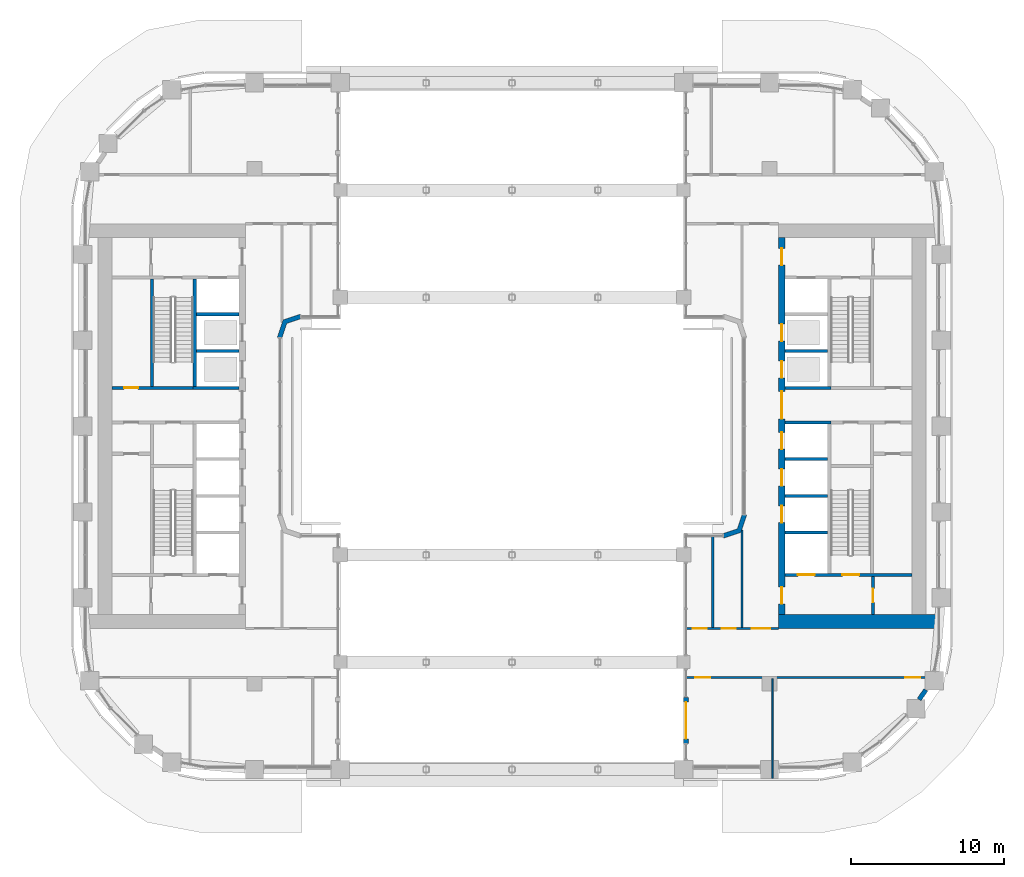
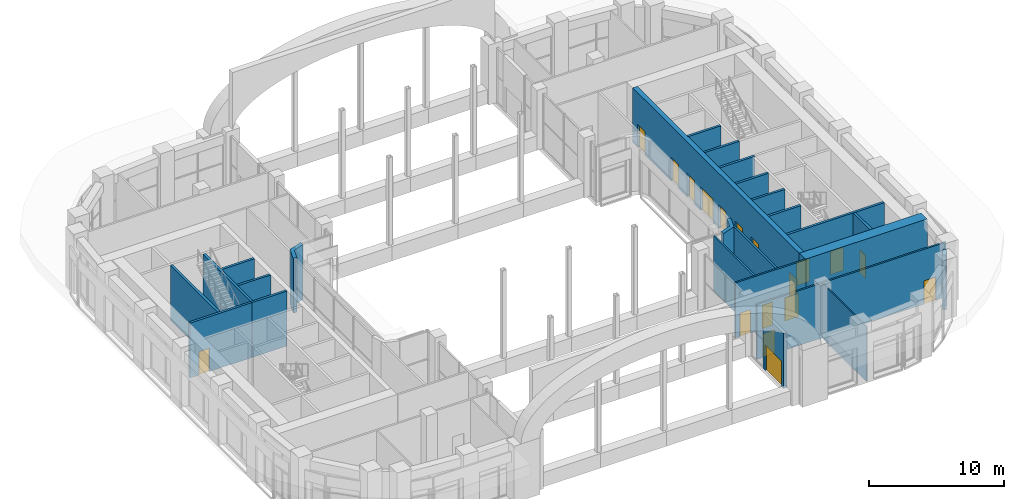
# One storey, part 16 of 28: 25 walls, 18 doors, 18 openings.
"""IFC4 building model written with IfcOpenShell, lengths in metres."""

from ifc_helpers import new_model, si_unit, direction, frame, frame_2d, origin, place, context, subcontext, project, spatial, polyline, rectangle, outline, extrude, material, layer, layer_set, type_object, element, fill, save


model = new_model("IFC4")

# Units and contexts
model_context = context("Model", 3, precision=1e-05, world=origin(), true_north=direction((0.0, 1.0)))
body_context = subcontext(model_context, "Body", "Model", "MODEL_VIEW")
ifc_project = project(units=[si_unit("LENGTHUNIT", "METRE"), si_unit("AREAUNIT", "SQUARE_METRE"), si_unit("VOLUMEUNIT", "CUBIC_METRE"), si_unit("PLANEANGLEUNIT", "RADIAN"), si_unit("MASSUNIT", "GRAM", prefix="KILO")], contexts=[model_context])

# Site, building, storey
site_placement = place(None, origin())
site = spatial("IfcSite", under=ifc_project, at=site_placement, CompositionType="ELEMENT")
building_placement = place(site_placement, origin())
building = spatial("IfcBuilding", under=site, at=building_placement, Name="Kiln Ring Residences", CompositionType="ELEMENT")
storey_placement = place(building_placement, frame((0.0, 0.0, 125.300048828125)))
storey = spatial("IfcBuildingStorey", under=building, at=storey_placement, Name="L32", CompositionType="ELEMENT", Elevation=125.300048828125)

# Wall, opening, door
ifc_material_1 = material(Name="Gypsum board on steel studs", Category="steel")
ifc_layer_1 = layer(ifc_material_1, 0.199951171875)
ifc_layer_set_1 = layer_set([ifc_layer_1], Name="CORE-PARTITION-200")
wall_type_1 = type_object("IfcWallType", Name="CORE-PARTITION-200", PredefinedType="PARTITIONING", material=ifc_layer_set_1)
wall_1_placement = place(storey_placement, frame((23.550048828125, -12.300048828125, 0.0), z_axis=(0.0, 0.0, 1.0), x_axis=(0.0, 1.0, 0.0)))
wall_1 = element("IfcWall", 1, at=wall_1_placement, inside=storey, type_object=wall_type_1, Name="Core partition east L32 4", PredefinedType="PARTITIONING", context=body_context, shape_type="SweptSolid", body=[
    extrude(rectangle(XDim=2.5, YDim=0.199951171875, at=frame_2d((1.25, 0.0))), origin(), (0.0, 0.0, 1.0), 4.949951171875),
])
opening_1_placement = place(wall_1_placement, frame((0.800048828125, 0.0, 0.0)))
opening_1 = element("IfcOpeningElement", 2, at=opening_1_placement, cuts=wall_1, Name="Opening L32-CE11", PredefinedType="OPENING", context=body_context, shape_type="SweptSolid", body=[
    extrude(rectangle(XDim=0.89990234375, YDim=2.10009765625, at=frame_2d((0.449951171875, 1.050048828125))), frame((0.0, 0.10986328125, 0.0), z_axis=(0.0, -1.0, 0.0), x_axis=(1.0, 0.0, 0.0)), (0.0, 0.0, 1.0), 0.219970703125),
])
ifc_material_2 = material(Name="Steel door leaf", Category="steel")
door_type_1 = type_object("IfcDoorType", Name="CORE-DOOR-ROOM", OperationType="SINGLE_SWING_LEFT", PredefinedType="DOOR", material=ifc_material_2)
door_1_placement = place(opening_1_placement, origin())
door_1 = element("IfcDoor", 3, at=door_1_placement, inside=storey, type_object=door_type_1, Name="Store L32-CE11", OperationType="SINGLE_SWING_RIGHT", OverallHeight=2.10009765625, OverallWidth=0.89990234375, PredefinedType="DOOR", context=body_context, shape_type="SweptSolid", body=[
    extrude(rectangle(XDim=0.89990234375, YDim=2.10009765625, at=frame_2d((0.449951171875, 1.050048828125))), frame((0.0, 0.02490234375, 0.0), z_axis=(0.0, -1.0, 0.0), x_axis=(1.0, 0.0, 0.0)), (0.0, 0.0, 1.0), 0.050048828125),
])
fill(opening_1, door_1)

# Walls
ifc_material_3 = material(Name="Gypsum shaft wall system")
ifc_layer_2 = layer(ifc_material_3, 0.199951171875)
ifc_layer_set_2 = layer_set([ifc_layer_2], Name="CORE-SHAFT-WALL-200")
wall_type_2 = type_object("IfcWallType", Name="CORE-SHAFT-WALL-200", PredefinedType="PARTITIONING", material=ifc_layer_set_2)
wall_2_placement = place(storey_placement, frame((-17.800048828125, 2.5, 0.0), z_axis=(0.0, 0.0, 1.0), x_axis=(-1.0, 0.0, 0.0)))
element("IfcWall", 4, at=wall_2_placement, inside=storey, type_object=wall_type_2, Name="Core partition west L32 10", PredefinedType="PARTITIONING", context=body_context, shape_type="SweptSolid", body=[
    extrude(rectangle(XDim=3.0, YDim=0.199951171875, at=frame_2d((1.5, 0.0))), origin(), (0.0, 0.0, 1.0), 4.949951171875),
])
for number, where, z_axis, x_axis, name in (
    (5, (-17.800048828125, 4.89990234375, 0.0), (0.0, 0.0, 1.0), (-1.0, 0.0, 0.0), "Core partition west L32 11"),
    (6, (-17.800048828125, 7.300048828125, 0.0), (0.0, 0.0, 1.0), (-1.0, 0.0, 0.0), "Core partition west L32 12"),
    (7, (17.800048828125, -6.949951171875, 0.0), (0.0, 0.0, 1.0), (1.0, 0.0, 0.0), "Core partition east L32 6"),
    (8, (17.800048828125, -4.550048828125, 0.0), (0.0, 0.0, 1.0), (1.0, 0.0, 0.0), "Core partition east L32 7"),
    (9, (17.800048828125, -2.14990234375, 0.0), (0.0, 0.0, 1.0), (1.0, 0.0, 0.0), "Core partition east L32 8"),
):
    element("IfcWall", number, at=place(storey_placement, frame(where, z_axis=z_axis, x_axis=x_axis)), inside=storey, type_object=wall_type_2, Name=name, PredefinedType="PARTITIONING", context=body_context, shape_type="SweptSolid", body=[
        extrude(rectangle(XDim=2.800048828125, YDim=0.199951171875, at=frame_2d((1.39990234375, 0.0))), origin(), (0.0, 0.0, 1.0), 4.949951171875),
    ])
for number, where, z_axis, x_axis, name in (
    (10, (17.800048828125, 0.25, 0.0), (0.0, 0.0, 1.0), (1.0, 0.0, 0.0), "Core partition east L32 9"),
    (11, (17.800048828125, 2.5, 0.0), (0.0, 0.0, 1.0), (1.0, 0.0, 0.0), "Core partition east L32 10"),
):
    element("IfcWall", number, at=place(storey_placement, frame(where, z_axis=z_axis, x_axis=x_axis)), inside=storey, type_object=wall_type_2, Name=name, PredefinedType="PARTITIONING", context=body_context, shape_type="SweptSolid", body=[
        extrude(rectangle(XDim=3.0, YDim=0.199951171875, at=frame_2d((1.5, 0.0))), origin(), (0.0, 0.0, 1.0), 4.949951171875),
    ])
wall_3_placement = place(storey_placement, frame((17.800048828125, 4.89990234375, 0.0), z_axis=(0.0, 0.0, 1.0), x_axis=(1.0, 0.0, 0.0)))
element("IfcWall", 12, at=wall_3_placement, inside=storey, type_object=wall_type_2, Name="Core partition east L32 11", PredefinedType="PARTITIONING", context=body_context, shape_type="SweptSolid", body=[
    extrude(rectangle(XDim=2.800048828125, YDim=0.199951171875, at=frame_2d((1.39990234375, 0.0))), origin(), (0.0, 0.0, 1.0), 4.949951171875),
])
ifc_material_4 = material(Name="Concrete C40/50", Category="concrete")
ifc_layer_3 = layer(ifc_material_4, 0.199951171875)
ifc_layer_set_3 = layer_set([ifc_layer_3], Name="CORE-WALL-RC200")
wall_type_3 = type_object("IfcWallType", Name="CORE-WALL-RC200", PredefinedType="SHEAR", material=ifc_layer_set_3)
wall_4_placement = place(storey_placement, frame((-20.699951171875, 2.60009765625, 0.0), z_axis=(0.0, 0.0, 1.0), x_axis=(0.0, 1.0, 0.0)))
element("IfcWall", 13, at=wall_4_placement, inside=storey, type_object=wall_type_3, Name="Core wall west L32 1", PredefinedType="SHEAR", context=body_context, shape_type="SweptSolid", body=[
    extrude(rectangle(XDim=7.0, YDim=0.199951171875, at=frame_2d((3.5, 0.0))), origin(), (0.0, 0.0, 1.0), 4.949951171875),
])

# Wall, opening, door
wall_5_placement = place(storey_placement, frame((-20.800048828125, 2.5, 0.0), z_axis=(0.0, 0.0, 1.0), x_axis=(-1.0, 0.0, 0.0)))
wall_5 = element("IfcWall", 14, at=wall_5_placement, inside=storey, type_object=wall_type_3, Name="Core wall west L32 3", PredefinedType="SHEAR", context=body_context, shape_type="SweptSolid", body=[
    extrude(rectangle(XDim=5.300048828125, YDim=0.199951171875, at=frame_2d((2.64990234375, 0.0))), origin(), (0.0, 0.0, 1.0), 4.949951171875),
])
opening_2_placement = place(wall_5_placement, frame((3.60009765625, 0.0, 0.0)))
opening_2 = element("IfcOpeningElement", 15, at=opening_2_placement, cuts=wall_5, Name="Opening L32-CW18", PredefinedType="OPENING", context=body_context, shape_type="SweptSolid", body=[
    extrude(rectangle(XDim=0.89990234375, YDim=2.10009765625, at=frame_2d((0.449951171875, 1.050048828125))), frame((0.0, 0.10986328125, 0.0), z_axis=(0.0, -1.0, 0.0), x_axis=(1.0, 0.0, 0.0)), (0.0, 0.0, 1.0), 0.219970703125),
])
door_2_placement = place(opening_2_placement, origin())
door_2 = element("IfcDoor", 16, at=door_2_placement, inside=storey, type_object=door_type_1, Name="Electrical plant room L32-CW18", OperationType="SINGLE_SWING_LEFT", OverallHeight=2.10009765625, OverallWidth=0.89990234375, PredefinedType="DOOR", context=body_context, shape_type="SweptSolid", body=[
    extrude(rectangle(XDim=0.89990234375, YDim=2.10009765625, at=frame_2d((0.449951171875, 1.050048828125))), frame((0.0, 0.02490234375, 0.0), z_axis=(0.0, -1.0, 0.0), x_axis=(1.0, 0.0, 0.0)), (0.0, 0.0, 1.0), 0.050048828125),
])
fill(opening_2, door_2)

# Wall
wall_6_placement = place(storey_placement, frame((-23.5, 2.60009765625, 0.0), z_axis=(0.0, 0.0, 1.0), x_axis=(0.0, 1.0, 0.0)))
element("IfcWall", 17, at=wall_6_placement, inside=storey, type_object=wall_type_3, Name="Core wall west L32 10", PredefinedType="SHEAR", context=body_context, shape_type="SweptSolid", body=[
    extrude(rectangle(XDim=7.0, YDim=0.199951171875, at=frame_2d((3.5, 0.0))), origin(), (0.0, 0.0, 1.0), 4.949951171875),
])

# Wall, openings, doors
wall_7_placement = place(storey_placement, frame((17.800048828125, -9.699951171875, 0.0), z_axis=(0.0, 0.0, 1.0), x_axis=(1.0, 0.0, 0.0)))
wall_7 = element("IfcWall", 18, at=wall_7_placement, inside=storey, type_object=wall_type_3, Name="Core wall east L32 8", PredefinedType="SHEAR", context=body_context, shape_type="SweptSolid", body=[
    extrude(rectangle(XDim=8.300048828125, YDim=0.199951171875, at=frame_2d((4.14990234375, 0.0))), origin(), (0.0, 0.0, 1.0), 4.949951171875),
])
opening_3_placement = place(wall_7_placement, frame((0.85009765625, 0.0, 0.0)))
opening_3 = element("IfcOpeningElement", 19, at=opening_3_placement, cuts=wall_7, Name="Opening L32-CE01", PredefinedType="OPENING", context=body_context, shape_type="SweptSolid", body=[
    extrude(rectangle(XDim=1.10009765625, YDim=2.10009765625, at=frame_2d((0.550048828125, 1.050048828125))), frame((0.0, 0.10986328125, 0.0), z_axis=(0.0, -1.0, 0.0), x_axis=(1.0, 0.0, 0.0)), (0.0, 0.0, 1.0), 0.219970703125),
])
opening_4_placement = place(wall_7_placement, frame((3.75, 0.0, 0.0)))
opening_4 = element("IfcOpeningElement", 20, at=opening_4_placement, cuts=wall_7, Name="Opening L32-CE13", PredefinedType="OPENING", context=body_context, shape_type="SweptSolid", body=[
    extrude(rectangle(XDim=1.10009765625, YDim=2.10009765625, at=frame_2d((0.550048828125, 1.050048828125))), frame((0.0, 0.10986328125, 0.0), z_axis=(0.0, -1.0, 0.0), x_axis=(1.0, 0.0, 0.0)), (0.0, 0.0, 1.0), 0.219970703125),
])
ifc_material_5 = material(Name="Steel door leaf", Category="steel")
door_type_2 = type_object("IfcDoorType", Name="CORE-DOOR-LD", OperationType="DOUBLE_DOOR_SLIDING", PredefinedType="DOOR", material=ifc_material_5)
door_3_placement = place(opening_3_placement, origin())
door_3 = element("IfcDoor", 21, at=door_3_placement, inside=storey, type_object=door_type_2, Name="LD E-SV L32-CE01", OperationType="DOUBLE_DOOR_SLIDING", OverallHeight=2.10009765625, OverallWidth=1.10009765625, PredefinedType="DOOR", context=body_context, shape_type="SweptSolid", body=[
    extrude(rectangle(XDim=1.10009765625, YDim=2.10009765625, at=frame_2d((0.550048828125, 1.050048828125))), frame((0.0, 0.02490234375, 0.0), z_axis=(0.0, -1.0, 0.0), x_axis=(1.0, 0.0, 0.0)), (0.0, 0.0, 1.0), 0.050048828125),
])
fill(opening_3, door_3)
ifc_material_6 = material(Name="Steel door leaf", Category="steel")
door_type_3 = type_object("IfcDoorType", Name="CORE-DOOR-STAIR", OperationType="SINGLE_SWING_LEFT", PredefinedType="DOOR", material=ifc_material_6)
door_4_placement = place(opening_4_placement, origin())
door_4 = element("IfcDoor", 22, at=door_4_placement, inside=storey, type_object=door_type_3, Name="Stair E-STS L32-CE13", OperationType="SINGLE_SWING_LEFT", OverallHeight=2.10009765625, OverallWidth=1.10009765625, PredefinedType="DOOR", context=body_context, shape_type="SweptSolid", body=[
    extrude(rectangle(XDim=1.10009765625, YDim=2.10009765625, at=frame_2d((0.550048828125, 1.050048828125))), frame((0.0, 0.02490234375, 0.0), z_axis=(0.0, -1.0, 0.0), x_axis=(1.0, 0.0, 0.0)), (0.0, 0.0, 1.0), 0.050048828125),
])
fill(opening_4, door_4)

ifc_material_7 = material(Name="Concrete C60/75", Category="concrete")
ifc_layer_4 = layer(ifc_material_7, 0.39990234375)
ifc_layer_set_4 = layer_set([ifc_layer_4], Name="CORE-WALL-RC400")
wall_type_4 = type_object("IfcWallType", Name="CORE-WALL-RC400", PredefinedType="SHEAR", material=ifc_layer_set_4)
wall_8_placement = place(storey_placement, frame((17.60009765625, -12.300048828125, 0.0), z_axis=(0.0, 0.0, 1.0), x_axis=(0.0, 1.0, 0.0)))
wall_8 = element("IfcWall", 23, at=wall_8_placement, inside=storey, type_object=wall_type_4, Name="Core wall east L32 6", PredefinedType="SHEAR", context=body_context, shape_type="SweptSolid", body=[
    extrude(rectangle(XDim=24.60009765625, YDim=0.39990234375, at=frame_2d((12.300048828125, 0.0))), origin(), (0.0, 0.0, 1.0), 4.949951171875),
])
opening_5_placement = place(wall_8_placement, frame((6.0, 0.0, 0.0)))
opening_5 = element("IfcOpeningElement", 24, at=opening_5_placement, cuts=wall_8, Name="Opening L32-CE02", PredefinedType="OPENING", context=body_context, shape_type="SweptSolid", body=[
    extrude(rectangle(XDim=1.10009765625, YDim=2.10009765625, at=frame_2d((0.550048828125, 1.050048828125))), frame((0.0, 0.2099609375, 0.0), z_axis=(0.0, -1.0, 0.0), x_axis=(1.0, 0.0, 0.0)), (0.0, 0.0, 1.0), 0.419921875),
])
opening_6_placement = place(wall_8_placement, frame((8.39990234375, 0.0, 0.0)))
opening_6 = element("IfcOpeningElement", 25, at=opening_6_placement, cuts=wall_8, Name="Opening L32-CE03", PredefinedType="OPENING", context=body_context, shape_type="SweptSolid", body=[
    extrude(rectangle(XDim=1.10009765625, YDim=2.10009765625, at=frame_2d((0.550048828125, 1.050048828125))), frame((0.0, 0.2099609375, 0.0), z_axis=(0.0, -1.0, 0.0), x_axis=(1.0, 0.0, 0.0)), (0.0, 0.0, 1.0), 0.419921875),
])
opening_7_placement = place(wall_8_placement, frame((10.800048828125, 0.0, 0.0)))
opening_7 = element("IfcOpeningElement", 26, at=opening_7_placement, cuts=wall_8, Name="Opening L32-CE04", PredefinedType="OPENING", context=body_context, shape_type="SweptSolid", body=[
    extrude(rectangle(XDim=1.10009765625, YDim=2.10009765625, at=frame_2d((0.550048828125, 1.050048828125))), frame((0.0, 0.2099609375, 0.0), z_axis=(0.0, -1.0, 0.0), x_axis=(1.0, 0.0, 0.0)), (0.0, 0.0, 1.0), 0.419921875),
])
opening_8_placement = place(wall_8_placement, frame((15.449951171875, 0.0, 0.0)))
opening_8 = element("IfcOpeningElement", 27, at=opening_8_placement, cuts=wall_8, Name="Opening L32-CE05", PredefinedType="OPENING", context=body_context, shape_type="SweptSolid", body=[
    extrude(rectangle(XDim=1.10009765625, YDim=2.10009765625, at=frame_2d((0.550048828125, 1.050048828125))), frame((0.0, 0.2099609375, 0.0), z_axis=(0.0, -1.0, 0.0), x_axis=(1.0, 0.0, 0.0)), (0.0, 0.0, 1.0), 0.419921875),
])
opening_9_placement = place(wall_8_placement, frame((17.85009765625, 0.0, 0.0)))
opening_9 = element("IfcOpeningElement", 28, at=opening_9_placement, cuts=wall_8, Name="Opening L32-CE06", PredefinedType="OPENING", context=body_context, shape_type="SweptSolid", body=[
    extrude(rectangle(XDim=1.10009765625, YDim=2.10009765625, at=frame_2d((0.550048828125, 1.050048828125))), frame((0.0, 0.2099609375, 0.0), z_axis=(0.0, -1.0, 0.0), x_axis=(1.0, 0.0, 0.0)), (0.0, 0.0, 1.0), 0.419921875),
])
opening_10_placement = place(wall_8_placement, frame((22.800048828125, 0.0, 0.0)))
opening_10 = element("IfcOpeningElement", 29, at=opening_10_placement, cuts=wall_8, Name="Opening L32-CE08", PredefinedType="OPENING", context=body_context, shape_type="SweptSolid", body=[
    extrude(rectangle(XDim=1.10009765625, YDim=2.10009765625, at=frame_2d((0.550048828125, 1.050048828125))), frame((0.0, 0.2099609375, 0.0), z_axis=(0.0, -1.0, 0.0), x_axis=(1.0, 0.0, 0.0)), (0.0, 0.0, 1.0), 0.419921875),
])
opening_11_placement = place(wall_8_placement, frame((0.699951171875, 0.0, 0.0)))
opening_11 = element("IfcOpeningElement", 30, at=opening_11_placement, cuts=wall_8, Name="Opening L32-CE09", PredefinedType="OPENING", context=body_context, shape_type="SweptSolid", body=[
    extrude(rectangle(XDim=1.10009765625, YDim=2.10009765625, at=frame_2d((0.550048828125, 1.050048828125))), frame((0.0, 0.2099609375, 0.0), z_axis=(0.0, -1.0, 0.0), x_axis=(1.0, 0.0, 0.0)), (0.0, 0.0, 1.0), 0.419921875),
])
opening_12_placement = place(wall_8_placement, frame((12.77490234375, 0.0, 0.0)))
opening_12 = element("IfcOpeningElement", 31, at=opening_12_placement, cuts=wall_8, Name="Opening L32-CE14", PredefinedType="OPENING", context=body_context, shape_type="SweptSolid", body=[
    extrude(rectangle(XDim=1.800048828125, YDim=2.10009765625, at=frame_2d((0.89990234375, 1.050048828125))), frame((0.0, 0.2099609375, 0.0), z_axis=(0.0, -1.0, 0.0), x_axis=(1.0, 0.0, 0.0)), (0.0, 0.0, 1.0), 0.419921875),
])
door_5_placement = place(opening_5_placement, origin())
door_5 = element("IfcDoor", 32, at=door_5_placement, inside=storey, type_object=door_type_2, Name="LD E-L1 L32-CE02", OperationType="DOUBLE_DOOR_SLIDING", OverallHeight=2.10009765625, OverallWidth=1.10009765625, PredefinedType="DOOR", context=body_context, shape_type="SweptSolid", body=[
    extrude(rectangle(XDim=1.10009765625, YDim=2.10009765625, at=frame_2d((0.550048828125, 1.050048828125))), frame((0.0, 0.02490234375, 0.0), z_axis=(0.0, -1.0, 0.0), x_axis=(1.0, 0.0, 0.0)), (0.0, 0.0, 1.0), 0.050048828125),
])
fill(opening_5, door_5)
door_6_placement = place(opening_6_placement, origin())
door_6 = element("IfcDoor", 33, at=door_6_placement, inside=storey, type_object=door_type_2, Name="LD E-L2 L32-CE03", OperationType="DOUBLE_DOOR_SLIDING", OverallHeight=2.10009765625, OverallWidth=1.10009765625, PredefinedType="DOOR", context=body_context, shape_type="SweptSolid", body=[
    extrude(rectangle(XDim=1.10009765625, YDim=2.10009765625, at=frame_2d((0.550048828125, 1.050048828125))), frame((0.0, 0.02490234375, 0.0), z_axis=(0.0, -1.0, 0.0), x_axis=(1.0, 0.0, 0.0)), (0.0, 0.0, 1.0), 0.050048828125),
])
fill(opening_6, door_6)
door_7_placement = place(opening_7_placement, origin())
door_7 = element("IfcDoor", 34, at=door_7_placement, inside=storey, type_object=door_type_2, Name="LD E-L3 L32-CE04", OperationType="DOUBLE_DOOR_SLIDING", OverallHeight=2.10009765625, OverallWidth=1.10009765625, PredefinedType="DOOR", context=body_context, shape_type="SweptSolid", body=[
    extrude(rectangle(XDim=1.10009765625, YDim=2.10009765625, at=frame_2d((0.550048828125, 1.050048828125))), frame((0.0, 0.02490234375, 0.0), z_axis=(0.0, -1.0, 0.0), x_axis=(1.0, 0.0, 0.0)), (0.0, 0.0, 1.0), 0.050048828125),
])
fill(opening_7, door_7)
door_8_placement = place(opening_8_placement, origin())
door_8 = element("IfcDoor", 35, at=door_8_placement, inside=storey, type_object=door_type_2, Name="LD E-M1 L32-CE05", OperationType="DOUBLE_DOOR_SLIDING", OverallHeight=2.10009765625, OverallWidth=1.10009765625, PredefinedType="DOOR", context=body_context, shape_type="SweptSolid", body=[
    extrude(rectangle(XDim=1.10009765625, YDim=2.10009765625, at=frame_2d((0.550048828125, 1.050048828125))), frame((0.0, 0.02490234375, 0.0), z_axis=(0.0, -1.0, 0.0), x_axis=(1.0, 0.0, 0.0)), (0.0, 0.0, 1.0), 0.050048828125),
])
fill(opening_8, door_8)
door_9_placement = place(opening_9_placement, origin())
door_9 = element("IfcDoor", 36, at=door_9_placement, inside=storey, type_object=door_type_2, Name="LD E-M2 L32-CE06", OperationType="DOUBLE_DOOR_SLIDING", OverallHeight=2.10009765625, OverallWidth=1.10009765625, PredefinedType="DOOR", context=body_context, shape_type="SweptSolid", body=[
    extrude(rectangle(XDim=1.10009765625, YDim=2.10009765625, at=frame_2d((0.550048828125, 1.050048828125))), frame((0.0, 0.02490234375, 0.0), z_axis=(0.0, -1.0, 0.0), x_axis=(1.0, 0.0, 0.0)), (0.0, 0.0, 1.0), 0.050048828125),
])
fill(opening_9, door_9)
ifc_material_8 = material(Name="Steel door leaf", Category="steel")
door_type_4 = type_object("IfcDoorType", Name="CORE-DOOR-LOBBY", OperationType="SINGLE_SWING_LEFT", PredefinedType="DOOR", material=ifc_material_8)
door_10_placement = place(opening_10_placement, origin())
door_10 = element("IfcDoor", 37, at=door_10_placement, inside=storey, type_object=door_type_4, Name="FFL L32-CE08", OperationType="SINGLE_SWING_RIGHT", OverallHeight=2.10009765625, OverallWidth=1.10009765625, PredefinedType="DOOR", context=body_context, shape_type="SweptSolid", body=[
    extrude(rectangle(XDim=1.10009765625, YDim=2.10009765625, at=frame_2d((0.550048828125, 1.050048828125))), frame((0.0, 0.02490234375, 0.0), z_axis=(0.0, -1.0, 0.0), x_axis=(1.0, 0.0, 0.0)), (0.0, 0.0, 1.0), 0.050048828125),
])
fill(opening_10, door_10)
door_11_placement = place(opening_11_placement, origin())
door_11 = element("IfcDoor", 38, at=door_11_placement, inside=storey, type_object=door_type_4, Name="SVL L32-CE09", OperationType="SINGLE_SWING_LEFT", OverallHeight=2.10009765625, OverallWidth=1.10009765625, PredefinedType="DOOR", context=body_context, shape_type="SweptSolid", body=[
    extrude(rectangle(XDim=1.10009765625, YDim=2.10009765625, at=frame_2d((0.550048828125, 1.050048828125))), frame((0.0, 0.02490234375, 0.0), z_axis=(0.0, -1.0, 0.0), x_axis=(1.0, 0.0, 0.0)), (0.0, 0.0, 1.0), 0.050048828125),
])
fill(opening_11, door_11)
ifc_material_9 = material(Name="Steel door leaf", Category="steel")
door_type_5 = type_object("IfcDoorType", Name="CORE-DOOR-PASS", OperationType="DOUBLE_DOOR_SINGLE_SWING", PredefinedType="DOOR", material=ifc_material_9)
door_12_placement = place(opening_12_placement, origin())
door_12 = element("IfcDoor", 39, at=door_12_placement, inside=storey, type_object=door_type_5, Name="Core passage L32-CE14", OperationType="DOUBLE_DOOR_SINGLE_SWING", OverallHeight=2.10009765625, OverallWidth=1.800048828125, PredefinedType="DOOR", context=body_context, shape_type="SweptSolid", body=[
    extrude(rectangle(XDim=1.800048828125, YDim=2.10009765625, at=frame_2d((0.89990234375, 1.050048828125))), frame((0.0, 0.02490234375, 0.0), z_axis=(0.0, -1.0, 0.0), x_axis=(1.0, 0.0, 0.0)), (0.0, 0.0, 1.0), 0.050048828125),
])
fill(opening_12, door_12)

# Wall
ifc_material_10 = material(Name="Concrete C60/75", Category="concrete")
ifc_layer_5 = layer(ifc_material_10, 0.89990234375)
ifc_layer_set_5 = layer_set([ifc_layer_5], Name="CORE-WALL-RC900")
wall_type_5 = type_object("IfcWallType", Name="CORE-WALL-RC900", PredefinedType="SHEAR", material=ifc_layer_set_5)
wall_9_placement = place(storey_placement, frame((17.39990234375, -12.75, 0.0), z_axis=(0.0, 0.0, 1.0), x_axis=(1.0, 0.0, 0.0)))
element("IfcWall", 40, at=wall_9_placement, inside=storey, type_object=wall_type_5, Name="Core wall east L32 5", PredefinedType="SHEAR", context=body_context, shape_type="SweptSolid", body=[
    extrude(rectangle(XDim=10.400146484375, YDim=0.89990234375, at=frame_2d((5.2001953125, 0.0))), origin(), (0.0, 0.0, 1.0), 4.949951171875),
])

# Wall, opening, door
ifc_material_11 = material(Name="Brick masonry, dark clay brick", Category="masonry")
ifc_layer_6 = layer(ifc_material_11, 0.300048828125)
ifc_layer_set_6 = layer_set([ifc_layer_6], Name="EW-300 BRICK WALL")
wall_type_6 = type_object("IfcWallType", Name="EW-300 BRICK WALL", PredefinedType="SOLIDWALL", material=ifc_layer_set_6)
wall_10_placement = place(storey_placement, frame((11.35009765625, -17.699951171875, 0.0), z_axis=(0.0, 0.0, 1.0), x_axis=(0.0, -1.0, 0.0)))
wall_10 = element("IfcWall", 41, at=wall_10_placement, inside=storey, type_object=wall_type_6, Name="Facade wall L32 3", PredefinedType="SOLIDWALL", context=body_context, shape_type="SweptSolid", body=[
    extrude(rectangle(XDim=3.0, YDim=0.300048828125, at=frame_2d((1.5, 0.0))), origin(), (0.0, 0.0, 1.0), 4.949951171875),
])
opening_13_placement = place(wall_10_placement, frame((0.300048828125, 0.0, 0.0)))
opening_13 = element("IfcOpeningElement", 42, at=opening_13_placement, cuts=wall_10, Name="Opening EL32-3", PredefinedType="OPENING", context=body_context, shape_type="SweptSolid", body=[
    extrude(rectangle(XDim=2.39990234375, YDim=2.300048828125, at=frame_2d((1.199951171875, 1.14990234375))), frame((0.0, 0.159912109375, 0.0), z_axis=(0.0, -1.0, 0.0), x_axis=(1.0, 0.0, 0.0)), (0.0, 0.0, 1.0), 0.320068359375),
])
ifc_material_12 = material(Name="Aluminium and glass", Category="aluminium")
door_type_6 = type_object("IfcDoorType", Name="TERRACE DOOR 2400 x 2300", OperationType="DOUBLE_DOOR_SINGLE_SWING", PredefinedType="DOOR", material=ifc_material_12)
door_13_placement = place(opening_13_placement, origin())
door_13 = element("IfcDoor", 43, at=door_13_placement, inside=storey, type_object=door_type_6, Name="Terrace door EL32-3", OperationType="SINGLE_SWING_LEFT", OverallHeight=2.300048828125, OverallWidth=2.39990234375, PredefinedType="DOOR", context=body_context, shape_type="SweptSolid", body=[
    extrude(rectangle(XDim=2.39990234375, YDim=2.300048828125, at=frame_2d((1.199951171875, 1.14990234375))), frame((0.0, 0.02490234375, 0.0), z_axis=(0.0, -1.0, 0.0), x_axis=(1.0, 0.0, 0.0)), (0.0, 0.0, 1.0), 0.050048828125),
])
fill(opening_13, door_13)

# Walls
wall_11_placement = place(storey_placement, frame((26.568115234375, -17.840087890625, 0.0), z_axis=(0.0, 0.0, 1.0), x_axis=(0.561986273267, 0.82714655815, 0.0)))
element("IfcWall", 44, at=wall_11_placement, inside=storey, type_object=wall_type_6, Name="Facade wall L32 7", PredefinedType="SOLIDWALL", context=body_context, shape_type="SweptSolid", body=[
    extrude(rectangle(XDim=0.76318359375, YDim=0.300048828125, at=frame_2d((0.381591796875, 0.0))), origin(), (0.0, 0.0, 1.0), 4.949951171875),
])
placement = place(storey_placement, origin())
element("IfcWall", 45, at=placement, inside=storey, type_object=wall_type_6, Name="Corner wall L32 1", PredefinedType="SOLIDWALL", context=body_context, shape_type="SweptSolid", body=[
    extrude(outline(polyline([(-15.0, 5.800048828125), (-14.699951171875, 6.699951171875), (-13.800048828125, 7.0), (-13.800048828125, 7.300048828125), (-13.8486328125, 7.300048828125), (-14.937255859375, 6.937255859375), (-15.300048828125, 5.8486328125), (-15.300048828125, 5.800048828125), (-15.0, 5.800048828125)])), origin(), (0.0, 0.0, 1.0), 4.949951171875),
])
element("IfcWall", 46, at=placement, inside=storey, type_object=wall_type_6, Name="Corner wall L32 4", PredefinedType="SOLIDWALL", context=body_context, shape_type="SweptSolid", body=[
    extrude(outline(polyline([(15.0, -5.800048828125), (14.699951171875, -6.699951171875), (13.800048828125, -7.0), (13.800048828125, -7.300048828125), (13.8486328125, -7.300048828125), (14.937255859375, -6.937255859375), (15.300048828125, -5.8486328125), (15.300048828125, -5.800048828125), (15.0, -5.800048828125)])), origin(), (0.0, 0.0, 1.0), 4.949951171875),
])
ifc_material_13 = material(Name="Gypsum board on steel studs", Category="steel")
ifc_layer_7 = layer(ifc_material_13, 0.10009765625)
ifc_layer_set_7 = layer_set([ifc_layer_7], Name="PARTITION-100")
wall_type_7 = type_object("IfcWallType", Name="PARTITION-100", PredefinedType="PARTITIONING", material=ifc_layer_set_7)
wall_14_placement = place(storey_placement, frame((17.0, -22.97998046875, 0.0), z_axis=(0.0, 0.0, 1.0), x_axis=(0.0, 1.0, 0.0)))
element("IfcWall", 47, at=wall_14_placement, inside=storey, type_object=wall_type_7, Name="Partition 018", PredefinedType="PARTITIONING", context=body_context, shape_type="SweptSolid", body=[
    extrude(rectangle(XDim=6.5048828125, YDim=0.10009765625, at=frame_2d((3.25244140625, 0.0))), origin(), (0.0, 0.0, 1.0), 4.949951171875),
])

# Wall, openings, doors
ifc_material_14 = material(Name="Brick masonry partition", Category="masonry")
ifc_layer_8 = layer(ifc_material_14, 0.14990234375)
ifc_layer_set_8 = layer_set([ifc_layer_8], Name="PARTITION-150-ei60")
wall_type_8 = type_object("IfcWallType", Name="PARTITION-150-ei60", PredefinedType="PARTITIONING", material=ifc_layer_set_8)
wall_15_placement = place(storey_placement, frame((11.384033203125, -16.39990234375, 0.0), z_axis=(0.0, 0.0, 1.0), x_axis=(1.0, 0.0, 0.0)))
wall_15 = element("IfcWall", 48, at=wall_15_placement, inside=storey, type_object=wall_type_8, Name="Partition 001", PredefinedType="PARTITIONING", context=body_context, shape_type="SweptSolid", body=[
    extrude(rectangle(XDim=16.135986328125, YDim=0.14990234375, at=frame_2d((8.06787109375, 0.0))), origin(), (0.0, 0.0, 1.0), 4.949951171875),
])
opening_14_placement = place(wall_15_placement, frame((0.555908203125, 0.0, 0.0)))
opening_14 = element("IfcOpeningElement", 49, at=opening_14_placement, cuts=wall_15, Name="Opening L32-D019", PredefinedType="OPENING", context=body_context, shape_type="SweptSolid", body=[
    extrude(rectangle(XDim=1.0, YDim=2.10009765625, at=frame_2d((0.5, 1.050048828125))), frame((0.0, 0.0849609375, 0.0), z_axis=(0.0, -1.0, 0.0), x_axis=(1.0, 0.0, 0.0)), (0.0, 0.0, 1.0), 0.169921875),
])
opening_15_placement = place(wall_15_placement, frame((14.26611328125, 0.0, 0.0)))
opening_15 = element("IfcOpeningElement", 50, at=opening_15_placement, cuts=wall_15, Name="Opening L32-D020", PredefinedType="OPENING", context=body_context, shape_type="SweptSolid", body=[
    extrude(rectangle(XDim=1.0, YDim=2.10009765625, at=frame_2d((0.5, 1.050048828125))), frame((0.0, 0.0849609375, 0.0), z_axis=(0.0, -1.0, 0.0), x_axis=(1.0, 0.0, 0.0)), (0.0, 0.0, 1.0), 0.169921875),
])
ifc_material_15 = material(Name="Steel faced fire door leaf", Category="steel")
door_type_7 = type_object("IfcDoorType", Name="FLAT-DOOR-1000-FR", OperationType="SINGLE_SWING_LEFT", PredefinedType="DOOR", material=ifc_material_15)
door_14_placement = place(opening_14_placement, origin())
door_14 = element("IfcDoor", 51, at=door_14_placement, inside=storey, type_object=door_type_7, Name="Door L32-D019", OperationType="SINGLE_SWING_LEFT", OverallHeight=2.10009765625, OverallWidth=1.0, PredefinedType="DOOR", context=body_context, shape_type="SweptSolid", body=[
    extrude(rectangle(XDim=1.0, YDim=2.10009765625, at=frame_2d((0.5, 1.050048828125))), frame((0.0, 0.02490234375, 0.0), z_axis=(0.0, -1.0, 0.0), x_axis=(1.0, 0.0, 0.0)), (0.0, 0.0, 1.0), 0.050048828125),
])
fill(opening_14, door_14)
door_15_placement = place(opening_15_placement, origin())
door_15 = element("IfcDoor", 52, at=door_15_placement, inside=storey, type_object=door_type_7, Name="Door L32-D020", OperationType="SINGLE_SWING_RIGHT", OverallHeight=2.10009765625, OverallWidth=1.0, PredefinedType="DOOR", context=body_context, shape_type="SweptSolid", body=[
    extrude(rectangle(XDim=1.0, YDim=2.10009765625, at=frame_2d((0.5, 1.050048828125))), frame((0.0, 0.02490234375, 0.0), z_axis=(0.0, -1.0, 0.0), x_axis=(1.0, 0.0, 0.0)), (0.0, 0.0, 1.0), 0.050048828125),
])
fill(opening_15, door_15)

wall_16_placement = place(storey_placement, frame((11.384033203125, -13.199951171875, 0.0), z_axis=(0.0, 0.0, 1.0), x_axis=(1.0, 0.0, 0.0)))
wall_16 = element("IfcWall", 53, at=wall_16_placement, inside=storey, type_object=wall_type_8, Name="Partition 003", PredefinedType="PARTITIONING", context=body_context, shape_type="SweptSolid", body=[
    extrude(rectangle(XDim=6.015869140625, YDim=0.14990234375, at=frame_2d((3.0078125, 0.0))), origin(), (0.0, 0.0, 1.0), 4.949951171875),
])
opening_16_placement = place(wall_16_placement, frame((4.26611328125, 0.0, 0.0)))
opening_16 = element("IfcOpeningElement", 54, at=opening_16_placement, cuts=wall_16, Name="Opening L32-D016", PredefinedType="OPENING", context=body_context, shape_type="SweptSolid", body=[
    extrude(rectangle(XDim=1.199951171875, YDim=2.10009765625, at=frame_2d((0.60009765625, 1.050048828125))), frame((0.0, 0.0849609375, 0.0), z_axis=(0.0, -1.0, 0.0), x_axis=(1.0, 0.0, 0.0)), (0.0, 0.0, 1.0), 0.169921875),
])
opening_17_placement = place(wall_16_placement, frame((0.416015625, 0.0, 0.0)))
opening_17 = element("IfcOpeningElement", 55, at=opening_17_placement, cuts=wall_16, Name="Opening L32-D017", PredefinedType="OPENING", context=body_context, shape_type="SweptSolid", body=[
    extrude(rectangle(XDim=0.89990234375, YDim=2.10009765625, at=frame_2d((0.449951171875, 1.050048828125))), frame((0.0, 0.0849609375, 0.0), z_axis=(0.0, -1.0, 0.0), x_axis=(1.0, 0.0, 0.0)), (0.0, 0.0, 1.0), 0.169921875),
])
opening_18_placement = place(wall_16_placement, frame((2.31591796875, 0.0, 0.0)))
opening_18 = element("IfcOpeningElement", 56, at=opening_18_placement, cuts=wall_16, Name="Opening L32-D018", PredefinedType="OPENING", context=body_context, shape_type="SweptSolid", body=[
    extrude(rectangle(XDim=0.89990234375, YDim=2.10009765625, at=frame_2d((0.449951171875, 1.050048828125))), frame((0.0, 0.0849609375, 0.0), z_axis=(0.0, -1.0, 0.0), x_axis=(1.0, 0.0, 0.0)), (0.0, 0.0, 1.0), 0.169921875),
])
ifc_material_16 = material(Name="Steel faced fire door leaf", Category="steel")
door_type_8 = type_object("IfcDoorType", Name="FLAT-DOOR-1200-FR", OperationType="SINGLE_SWING_LEFT", PredefinedType="DOOR", material=ifc_material_16)
door_16_placement = place(opening_16_placement, origin())
door_16 = element("IfcDoor", 57, at=door_16_placement, inside=storey, type_object=door_type_8, Name="Door L32-D016", OperationType="SINGLE_SWING_LEFT", OverallHeight=2.10009765625, OverallWidth=1.199951171875, PredefinedType="DOOR", context=body_context, shape_type="SweptSolid", body=[
    extrude(rectangle(XDim=1.199951171875, YDim=2.10009765625, at=frame_2d((0.60009765625, 1.050048828125))), frame((0.0, 0.02490234375, 0.0), z_axis=(0.0, -1.0, 0.0), x_axis=(1.0, 0.0, 0.0)), (0.0, 0.0, 1.0), 0.050048828125),
])
fill(opening_16, door_16)
ifc_material_17 = material(Name="Steel faced fire door leaf", Category="steel")
door_type_9 = type_object("IfcDoorType", Name="FLAT-DOOR-900-FR", OperationType="SINGLE_SWING_LEFT", PredefinedType="DOOR", material=ifc_material_17)
door_17_placement = place(opening_17_placement, origin())
door_17 = element("IfcDoor", 58, at=door_17_placement, inside=storey, type_object=door_type_9, Name="Door L32-D017", OperationType="SINGLE_SWING_LEFT", OverallHeight=2.10009765625, OverallWidth=0.89990234375, PredefinedType="DOOR", context=body_context, shape_type="SweptSolid", body=[
    extrude(rectangle(XDim=0.89990234375, YDim=2.10009765625, at=frame_2d((0.449951171875, 1.050048828125))), frame((0.0, 0.02490234375, 0.0), z_axis=(0.0, -1.0, 0.0), x_axis=(1.0, 0.0, 0.0)), (0.0, 0.0, 1.0), 0.050048828125),
])
fill(opening_17, door_17)
door_18_placement = place(opening_18_placement, origin())
door_18 = element("IfcDoor", 59, at=door_18_placement, inside=storey, type_object=door_type_9, Name="Door L32-D018", OperationType="SINGLE_SWING_RIGHT", OverallHeight=2.10009765625, OverallWidth=0.89990234375, PredefinedType="DOOR", context=body_context, shape_type="SweptSolid", body=[
    extrude(rectangle(XDim=0.89990234375, YDim=2.10009765625, at=frame_2d((0.449951171875, 1.050048828125))), frame((0.0, 0.02490234375, 0.0), z_axis=(0.0, -1.0, 0.0), x_axis=(1.0, 0.0, 0.0)), (0.0, 0.0, 1.0), 0.050048828125),
])
fill(opening_18, door_18)

# Walls
wall_17_placement = place(storey_placement, frame((13.10009765625, -13.125, 0.0), z_axis=(0.0, 0.0, 1.0), x_axis=(0.0, 1.0, 0.0)))
element("IfcWall", 60, at=wall_17_placement, inside=storey, type_object=wall_type_8, Name="Partition 015", PredefinedType="PARTITIONING", context=body_context, shape_type="SweptSolid", body=[
    extrude(rectangle(XDim=5.94091796875, YDim=0.14990234375, at=frame_2d((2.970458984375, 0.0))), origin(), (0.0, 0.0, 1.0), 4.949951171875),
])
wall_18_placement = place(storey_placement, frame((15.0, -13.125, 0.0), z_axis=(0.0, 0.0, 1.0), x_axis=(0.0, 1.0, 0.0)))
element("IfcWall", 61, at=wall_18_placement, inside=storey, type_object=wall_type_8, Name="Partition 016", PredefinedType="PARTITIONING", context=body_context, shape_type="SweptSolid", body=[
    extrude(rectangle(XDim=6.356201171875, YDim=0.14990234375, at=frame_2d((3.17822265625, 0.0))), origin(), (0.0, 0.0, 1.0), 4.949951171875),
])

save(model, "model.ifc")
